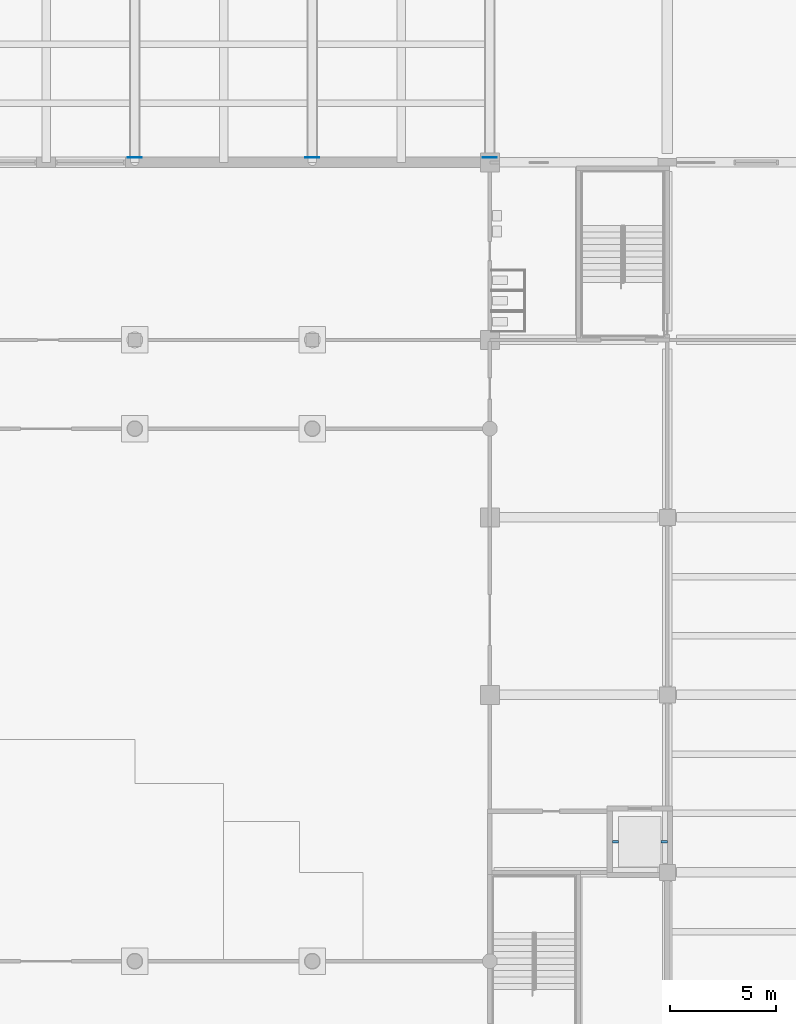
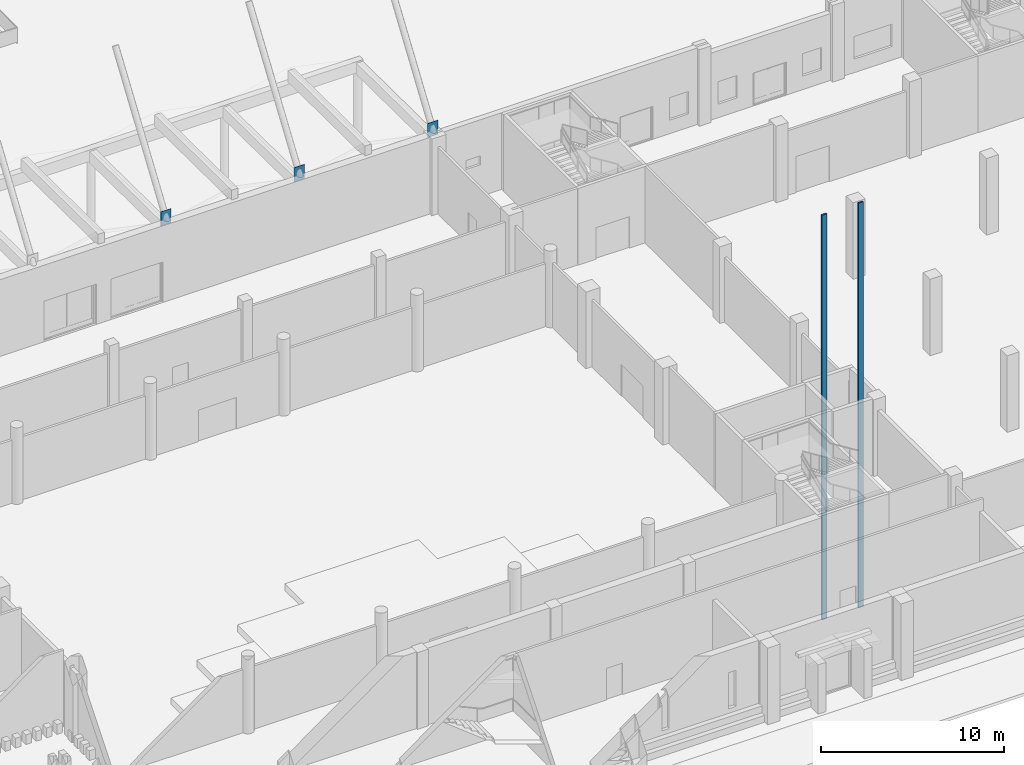
# One storey, part 44 of 74: 5 discrete accessories.
"""IFC4 building model written with IfcOpenShell, lengths in metres."""

from ifc_helpers import new_model, si_unit, direction, frame, origin, origin_2d, place, context, subcontext, project, spatial, rectangle, extrude, material, type_object, element, save


model = new_model("IFC4")

# Units and contexts
model_context = context("Model", 3, precision=1e-05, world=origin(), true_north=direction((0.0, 1.0)))
body_context = subcontext(model_context, "Body", "Model", "MODEL_VIEW")
ifc_project = project(units=[si_unit("LENGTHUNIT", "METRE"), si_unit("AREAUNIT", "SQUARE_METRE"), si_unit("VOLUMEUNIT", "CUBIC_METRE"), si_unit("PLANEANGLEUNIT", "RADIAN"), si_unit("MASSUNIT", "GRAM", prefix="KILO")], contexts=[model_context])

# Site, building, storey
site_placement = place(None, origin())
site = spatial("IfcSite", under=ifc_project, at=site_placement, CompositionType="ELEMENT")
building_placement = place(site_placement, origin())
building = spatial("IfcBuilding", under=site, at=building_placement, Name="Rulbaag Community and Learning Centre", CompositionType="ELEMENT")
storey_placement = place(building_placement, origin())
storey = spatial("IfcBuildingStorey", under=building, at=storey_placement, Name="L00", CompositionType="ELEMENT", Elevation=0.0)

# Discrete accessories
ifc_material = material(Name="Steel E350", Category="steel")
discrete_accessory_type_1 = type_object("IfcDiscreteAccessoryType", Name="EP2 Strut foot plate 25 x 656 x 932 Steel E350", PredefinedType="ANCHORPLATE", material=ifc_material)
for number, where, z_axis, x_axis, name in (
    (1, (67.199951171875, 50.637451171875, 4.75), (0.0, 0.0, 1.0), (1.0, 0.0, 0.0), "Canopy strut foot plate"),
    (2, (75.60009765625, 50.637451171875, 4.75), (0.0, 0.0, 1.0), (1.0, 0.0, 0.0), "Canopy strut foot plate"),
    (3, (84.0, 50.637451171875, 4.75), (0.0, 0.0, 1.0), (1.0, 0.0, 0.0), "Canopy strut foot plate"),
):
    element("IfcDiscreteAccessory", number, at=place(storey_placement, frame(where, z_axis=z_axis, x_axis=x_axis)), inside=storey, type_object=discrete_accessory_type_1, Name=name, PredefinedType="ANCHORPLATE", context=body_context, shape_type="SweptSolid", body=[
        extrude(rectangle(XDim=0.656005859375, YDim=0.02490234375, at=origin_2d()), origin(), (0.0, 0.0, 1.0), 0.931884765625),
    ])
discrete_accessory_type_2 = type_object("IfcDiscreteAccessoryType", Name="LR-GUIDE RAIL 300 x 100", PredefinedType="BRACKET", material=ifc_material)
for number, where, z_axis, x_axis, name in (
    (4, (89.949951171875, 18.25, -9.85009765625), (0.0, 0.0, 1.0), (1.0, 0.0, 0.0), "Guide rail LH2 W"),
    (5, (92.25, 18.25, -9.85009765625), (0.0, 0.0, 1.0), (1.0, 0.0, 0.0), "Guide rail LH2 E"),
):
    element("IfcDiscreteAccessory", number, at=place(storey_placement, frame(where, z_axis=z_axis, x_axis=x_axis)), inside=storey, type_object=discrete_accessory_type_2, Name=name, PredefinedType="BRACKET", context=body_context, shape_type="SweptSolid", body=[
        extrude(rectangle(XDim=0.300048828125, YDim=0.10009765625, at=origin_2d()), origin(), (0.0, 0.0, 1.0), 26.949951171875),
    ])

save(model, "model.ifc")
